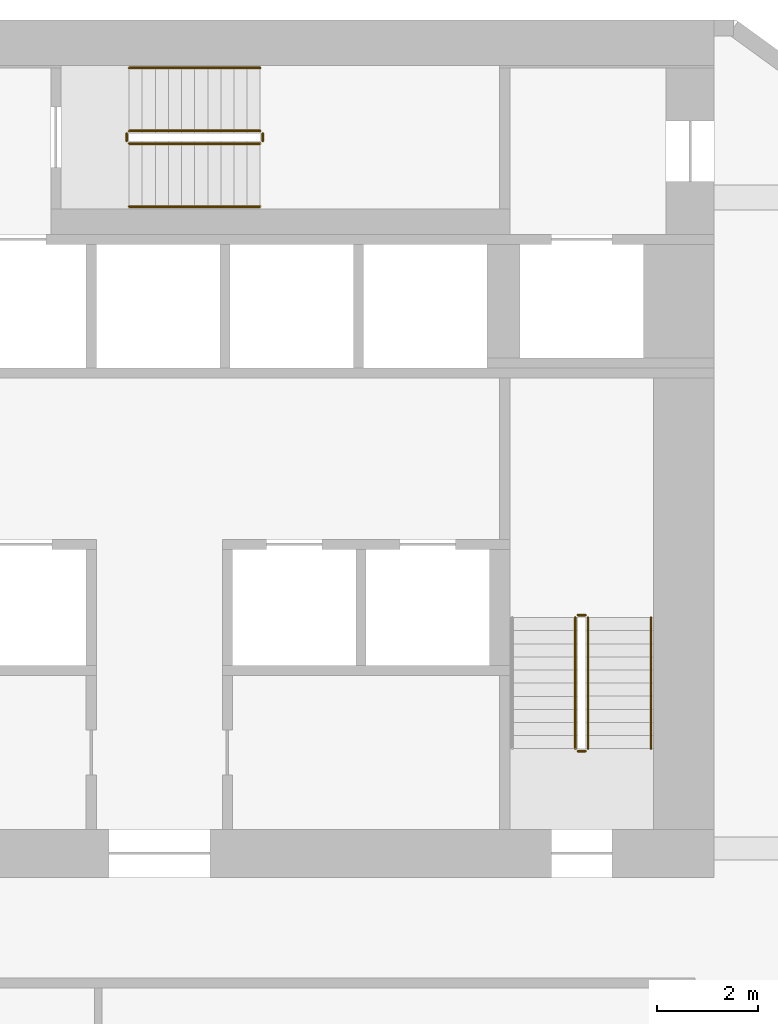
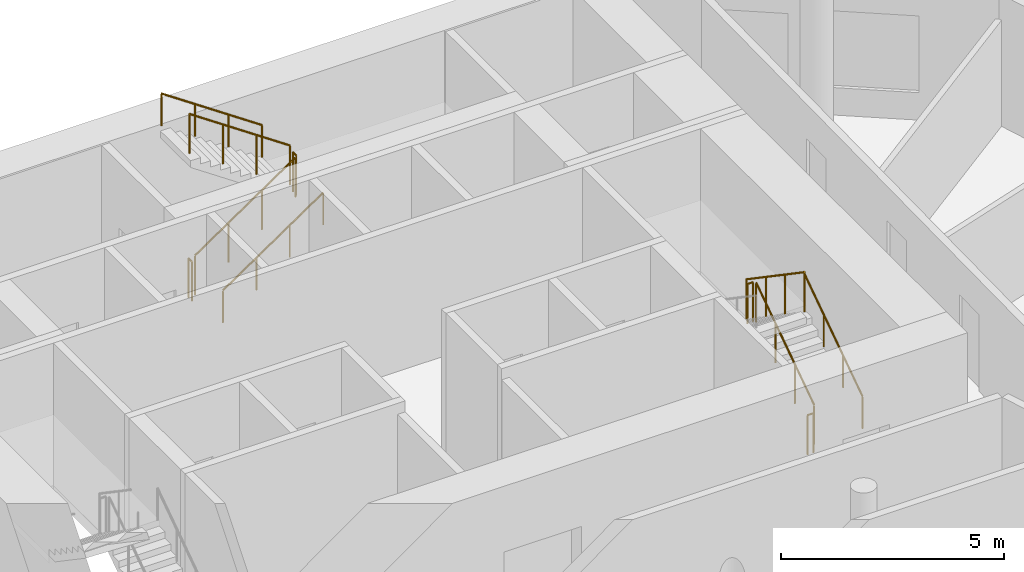
# One storey, part 8 of 8: 11 railings.
"""IFC4 building model written with IfcOpenShell, lengths in metres."""

from ifc_helpers import new_model, si_unit, direction, frame, origin, origin_2d, place, context, subcontext, project, spatial, circle, extrude, material, type_object, element, save


model = new_model("IFC4")

# Units and contexts
model_context = context("Model", 3, precision=1e-05, world=origin(), true_north=direction((0.0, 1.0)))
body_context = subcontext(model_context, "Body", "Model", "MODEL_VIEW")
ifc_project = project(units=[si_unit("LENGTHUNIT", "METRE"), si_unit("AREAUNIT", "SQUARE_METRE"), si_unit("VOLUMEUNIT", "CUBIC_METRE"), si_unit("PLANEANGLEUNIT", "RADIAN"), si_unit("MASSUNIT", "GRAM", prefix="KILO")], contexts=[model_context])

# Site, building, storey
site_placement = place(None, origin())
site = spatial("IfcSite", under=ifc_project, at=site_placement, CompositionType="ELEMENT")
building_placement = place(site_placement, origin())
building = spatial("IfcBuilding", under=site, at=building_placement, Name="White Candle Pilgrim Tower", CompositionType="ELEMENT")
storey_placement = place(building_placement, frame((0.0, 0.0, 152.5)))
storey = spatial("IfcBuildingStorey", under=building, at=storey_placement, Name="L34", CompositionType="ELEMENT", Elevation=152.5)

# Railings
ifc_material = material(Name="Stainless steel", Category="steel")
railing_type_1 = type_object("IfcRailingType", Name="Stair guard stainless steel 1100 mm", PredefinedType="GUARDRAIL", material=ifc_material)
railing_1_placement = place(storey_placement, frame((78.5, 73.550048828125, 0.17724609375)))
element("IfcRailing", 1, at=railing_1_placement, inside=storey, type_object=railing_type_1, Name="L34 ST2 stair guard 1", PredefinedType="GUARDRAIL", context=body_context, shape_type="SweptSolid", body=[
    extrude(circle(Radius=0.02392578125, at=origin_2d()), frame((0.0, 0.0, 1.076171875), z_axis=(0.0, 0.826215852431, 0.563353676824), x_axis=(-1.0, 0.0, 0.0)), (0.0, 0.0, 1.0), 3.146728515625),
    extrude(circle(Radius=0.02099609375, at=origin_2d()), origin(), (0.0, 0.0, 1.0), 1.052001953125),
    extrude(circle(Radius=0.02099609375, at=origin_2d()), frame((0.0, 0.86669921875, 0.5908203125)), (0.0, 0.0, 1.0), 1.052001953125),
    extrude(circle(Radius=0.02099609375, at=origin_2d()), frame((0.0, 1.733154296875, 1.181884765625)), (0.0, 0.0, 1.0), 1.052001953125),
    extrude(circle(Radius=0.02099609375, at=origin_2d()), frame((0.0, 2.599853515625, 1.772705078125)), (0.0, 0.0, 1.0), 1.052001953125),
])
railing_2_placement = place(storey_placement, frame((78.449951171875, 76.199951171875, 1.949951171875)))
element("IfcRailing", 2, at=railing_2_placement, inside=storey, type_object=railing_type_1, Name="L34 ST2 stair guard 2", PredefinedType="GUARDRAIL", context=body_context, shape_type="SweptSolid", body=[
    extrude(circle(Radius=0.02392578125, at=origin_2d()), frame((0.0, 0.0, 1.076171875), z_axis=(-1.0, 0.0, 0.0), x_axis=(0.0, -1.0, 0.0)), (0.0, 0.0, 1.0), 0.14990234375),
    extrude(circle(Radius=0.02099609375, at=origin_2d()), origin(), (0.0, 0.0, 1.0), 1.052001953125),
    extrude(circle(Radius=0.02099609375, at=origin_2d()), frame((-0.14990234375, 0.0, 0.0)), (0.0, 0.0, 1.0), 1.052001953125),
])
railing_3_placement = place(storey_placement, frame((78.25, 76.14990234375, 2.127197265625)))
element("IfcRailing", 3, at=railing_3_placement, inside=storey, type_object=railing_type_1, Name="L34 ST2 stair guard 3", PredefinedType="GUARDRAIL", context=body_context, shape_type="SweptSolid", body=[
    extrude(circle(Radius=0.02392578125, at=origin_2d()), frame((0.0, 0.0, 1.076171875), z_axis=(0.0, -0.826215852431, 0.563353676824), x_axis=(1.0, 0.0, 0.0)), (0.0, 0.0, 1.0), 3.146728515625),
    extrude(circle(Radius=0.02099609375, at=origin_2d()), origin(), (0.0, 0.0, 1.0), 1.052001953125),
    extrude(circle(Radius=0.02099609375, at=origin_2d()), frame((0.0, -0.86669921875, 0.5908203125)), (0.0, 0.0, 1.0), 1.052001953125),
    extrude(circle(Radius=0.02099609375, at=origin_2d()), frame((0.0, -1.733154296875, 1.181884765625)), (0.0, 0.0, 1.0), 1.052001953125),
    extrude(circle(Radius=0.02099609375, at=origin_2d()), frame((0.0, -2.599853515625, 1.772705078125)), (0.0, 0.0, 1.0), 1.052001953125),
])
railing_4_placement = place(storey_placement, frame((78.449951171875, 73.5, 0.0)))
element("IfcRailing", 4, at=railing_4_placement, inside=storey, type_object=railing_type_1, Name="L34 ST2 stair guard 4", PredefinedType="GUARDRAIL", context=body_context, shape_type="SweptSolid", body=[
    extrude(circle(Radius=0.02392578125, at=origin_2d()), frame((0.0, 0.0, 1.076171875), z_axis=(-1.0, 0.0, 0.0), x_axis=(0.0, -1.0, 0.0)), (0.0, 0.0, 1.0), 0.14990234375),
    extrude(circle(Radius=0.02099609375, at=origin_2d()), origin(), (0.0, 0.0, 1.0), 1.052001953125),
    extrude(circle(Radius=0.02099609375, at=origin_2d()), frame((-0.14990234375, 0.0, 0.0)), (0.0, 0.0, 1.0), 1.052001953125),
])
railing_5_placement = place(storey_placement, frame((69.39990234375, 85.550048828125, 0.17724609375)))
element("IfcRailing", 5, at=railing_5_placement, inside=storey, type_object=railing_type_1, Name="L34 ST3 stair guard 1", PredefinedType="GUARDRAIL", context=body_context, shape_type="SweptSolid", body=[
    extrude(circle(Radius=0.02392578125, at=origin_2d()), frame((0.0, 0.0, 1.076171875), z_axis=(0.826240473404, 0.0, 0.563317565952), x_axis=(0.0, 1.0, 0.0)), (0.0, 0.0, 1.0), 3.14697265625),
    extrude(circle(Radius=0.02099609375, at=origin_2d()), origin(), (0.0, 0.0, 1.0), 1.052001953125),
    extrude(circle(Radius=0.02099609375, at=origin_2d()), frame((0.86669921875, 0.0, 0.5908203125)), (0.0, 0.0, 1.0), 1.052001953125),
    extrude(circle(Radius=0.02099609375, at=origin_2d()), frame((1.7333984375, 0.0, 1.181884765625)), (0.0, 0.0, 1.0), 1.052001953125),
    extrude(circle(Radius=0.02099609375, at=origin_2d()), frame((2.60009765625, 0.0, 1.772705078125)), (0.0, 0.0, 1.0), 1.052001953125),
])
railing_6_placement = place(storey_placement, frame((72.050048828125, 85.60009765625, 1.949951171875)))
element("IfcRailing", 6, at=railing_6_placement, inside=storey, type_object=railing_type_1, Name="L34 ST3 stair guard 2", PredefinedType="GUARDRAIL", context=body_context, shape_type="SweptSolid", body=[
    extrude(circle(Radius=0.02392578125, at=origin_2d()), frame((0.0, 0.0, 1.076171875), z_axis=(0.0, 1.0, 0.0), x_axis=(-1.0, 0.0, 0.0)), (0.0, 0.0, 1.0), 0.14990234375),
    extrude(circle(Radius=0.02099609375, at=origin_2d()), origin(), (0.0, 0.0, 1.0), 1.052001953125),
    extrude(circle(Radius=0.02099609375, at=origin_2d()), frame((0.0, 0.14990234375, 0.0)), (0.0, 0.0, 1.0), 1.052001953125),
])
railing_7_placement = place(storey_placement, frame((72.0, 85.800048828125, 2.127197265625)))
element("IfcRailing", 7, at=railing_7_placement, inside=storey, type_object=railing_type_1, Name="L34 ST3 stair guard 3", PredefinedType="GUARDRAIL", context=body_context, shape_type="SweptSolid", body=[
    extrude(circle(Radius=0.02392578125, at=origin_2d()), frame((0.0, 0.0, 1.076171875), z_axis=(-0.826240473404, 0.0, 0.563317565952), x_axis=(0.0, -1.0, 0.0)), (0.0, 0.0, 1.0), 3.14697265625),
    extrude(circle(Radius=0.02099609375, at=origin_2d()), origin(), (0.0, 0.0, 1.0), 1.052001953125),
    extrude(circle(Radius=0.02099609375, at=origin_2d()), frame((-0.86669921875, 0.0, 0.5908203125)), (0.0, 0.0, 1.0), 1.052001953125),
    extrude(circle(Radius=0.02099609375, at=origin_2d()), frame((-1.7333984375, 0.0, 1.181884765625)), (0.0, 0.0, 1.0), 1.052001953125),
    extrude(circle(Radius=0.02099609375, at=origin_2d()), frame((-2.60009765625, 0.0, 1.772705078125)), (0.0, 0.0, 1.0), 1.052001953125),
])
railing_8_placement = place(storey_placement, frame((69.35009765625, 85.60009765625, 0.0)))
element("IfcRailing", 8, at=railing_8_placement, inside=storey, type_object=railing_type_1, Name="L34 ST3 stair guard 4", PredefinedType="GUARDRAIL", context=body_context, shape_type="SweptSolid", body=[
    extrude(circle(Radius=0.02392578125, at=origin_2d()), frame((0.0, 0.0, 1.076171875), z_axis=(0.0, 1.0, 0.0), x_axis=(-1.0, 0.0, 0.0)), (0.0, 0.0, 1.0), 0.14990234375),
    extrude(circle(Radius=0.02099609375, at=origin_2d()), origin(), (0.0, 0.0, 1.0), 1.052001953125),
    extrude(circle(Radius=0.02099609375, at=origin_2d()), frame((0.0, 0.14990234375, 0.0)), (0.0, 0.0, 1.0), 1.052001953125),
])
railing_type_2 = type_object("IfcRailingType", Name="Stair handrail stainless steel", PredefinedType="HANDRAIL", material=ifc_material)
railing_9_placement = place(storey_placement, frame((79.75, 73.550048828125, 0.17724609375)))
element("IfcRailing", 9, at=railing_9_placement, inside=storey, type_object=railing_type_2, Name="L34 ST2 stair handrail 1", PredefinedType="HANDRAIL", context=body_context, shape_type="SweptSolid", body=[
    extrude(circle(Radius=0.02392578125, at=origin_2d()), frame((0.0, 0.0, 0.8759765625), z_axis=(0.0, 0.826215852431, 0.563353676824), x_axis=(-1.0, 0.0, 0.0)), (0.0, 0.0, 1.0), 3.146728515625),
    extrude(circle(Radius=0.02099609375, at=origin_2d()), origin(), (0.0, 0.0, 1.0), 0.851806640625),
    extrude(circle(Radius=0.02099609375, at=origin_2d()), frame((0.0, 0.86669921875, 0.5908203125)), (0.0, 0.0, 1.0), 0.851806640625),
    extrude(circle(Radius=0.02099609375, at=origin_2d()), frame((0.0, 1.733154296875, 1.181884765625)), (0.0, 0.0, 1.0), 0.851806640625),
    extrude(circle(Radius=0.02099609375, at=origin_2d()), frame((0.0, 2.599853515625, 1.772705078125)), (0.0, 0.0, 1.0), 0.851806640625),
])
railing_10_placement = place(storey_placement, frame((69.39990234375, 84.300048828125, 0.17724609375)))
element("IfcRailing", 10, at=railing_10_placement, inside=storey, type_object=railing_type_2, Name="L34 ST3 stair handrail 1", PredefinedType="HANDRAIL", context=body_context, shape_type="SweptSolid", body=[
    extrude(circle(Radius=0.02392578125, at=origin_2d()), frame((0.0, 0.0, 0.8759765625), z_axis=(0.826240473404, 0.0, 0.563317565952), x_axis=(0.0, 1.0, 0.0)), (0.0, 0.0, 1.0), 3.14697265625),
    extrude(circle(Radius=0.02099609375, at=origin_2d()), origin(), (0.0, 0.0, 1.0), 0.851806640625),
    extrude(circle(Radius=0.02099609375, at=origin_2d()), frame((0.86669921875, 0.0, 0.5908203125)), (0.0, 0.0, 1.0), 0.851806640625),
    extrude(circle(Radius=0.02099609375, at=origin_2d()), frame((1.7333984375, 0.0, 1.181884765625)), (0.0, 0.0, 1.0), 0.851806640625),
    extrude(circle(Radius=0.02099609375, at=origin_2d()), frame((2.60009765625, 0.0, 1.772705078125)), (0.0, 0.0, 1.0), 0.851806640625),
])
railing_11_placement = place(storey_placement, frame((72.0, 87.050048828125, 2.127197265625)))
element("IfcRailing", 11, at=railing_11_placement, inside=storey, type_object=railing_type_2, Name="L34 ST3 stair handrail 2", PredefinedType="HANDRAIL", context=body_context, shape_type="SweptSolid", body=[
    extrude(circle(Radius=0.02392578125, at=origin_2d()), frame((0.0, 0.0, 0.8759765625), z_axis=(-0.826240473404, 0.0, 0.563317565952), x_axis=(0.0, -1.0, 0.0)), (0.0, 0.0, 1.0), 3.14697265625),
    extrude(circle(Radius=0.02099609375, at=origin_2d()), origin(), (0.0, 0.0, 1.0), 0.851806640625),
    extrude(circle(Radius=0.02099609375, at=origin_2d()), frame((-0.86669921875, 0.0, 0.5908203125)), (0.0, 0.0, 1.0), 0.851806640625),
    extrude(circle(Radius=0.02099609375, at=origin_2d()), frame((-1.7333984375, 0.0, 1.181884765625)), (0.0, 0.0, 1.0), 0.851806640625),
    extrude(circle(Radius=0.02099609375, at=origin_2d()), frame((-2.60009765625, 0.0, 1.772705078125)), (0.0, 0.0, 1.0), 0.851806640625),
])

save(model, "model.ifc")
